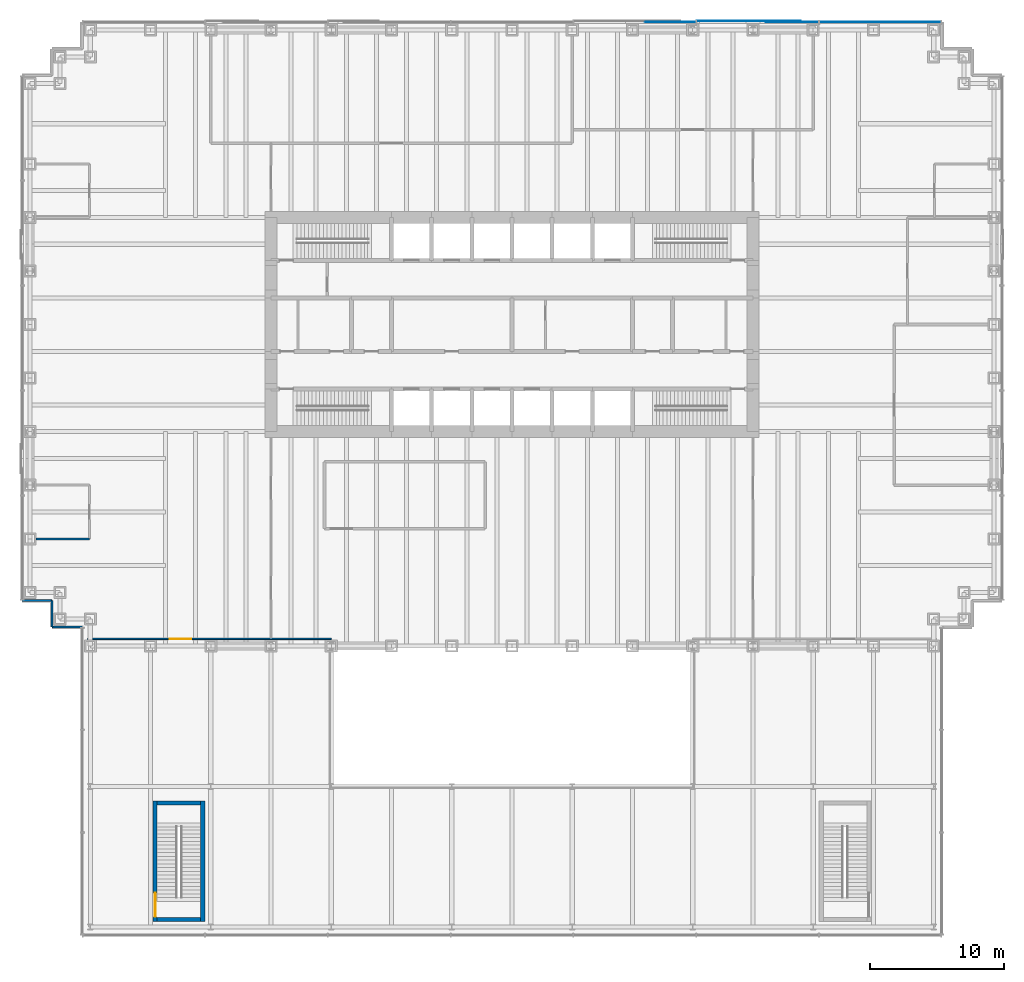
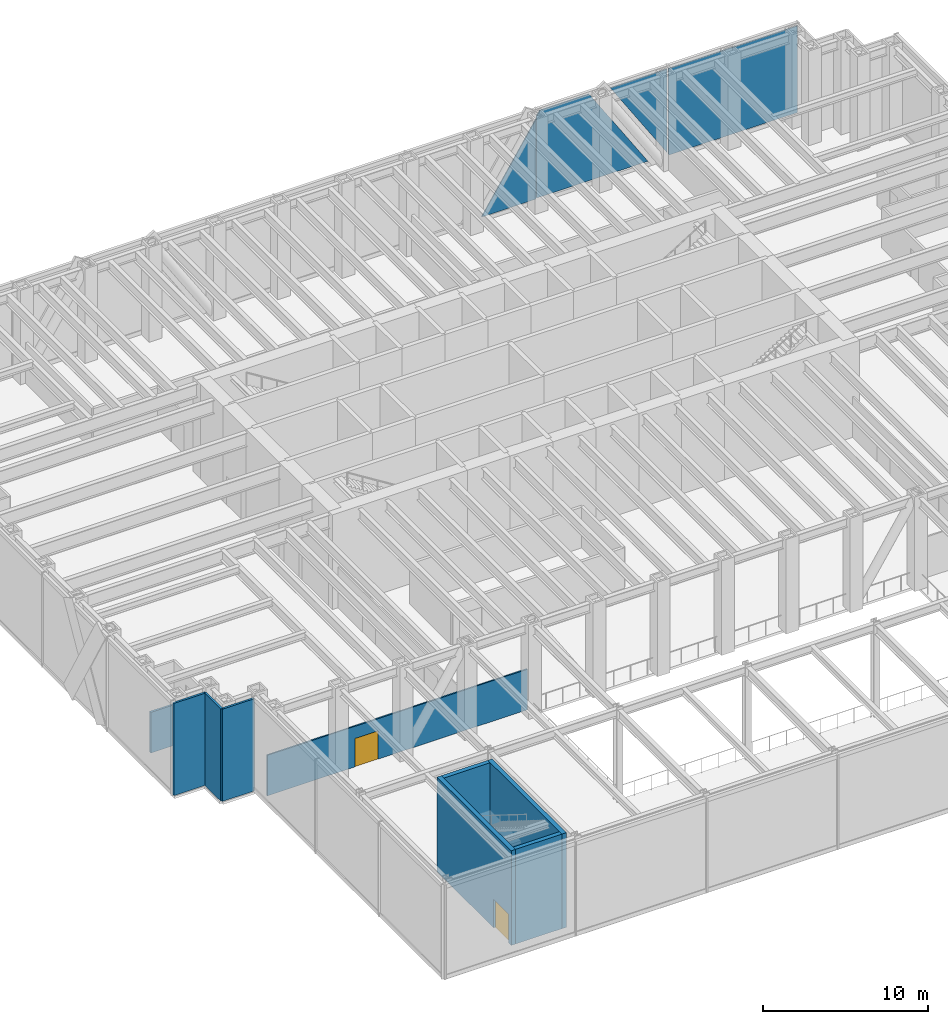
# One storey, part 12 of 17: 9 walls, 4 plates, 2 doors, 2 openings, 1 element without a shape of its own.
"""IFC4 building model written with IfcOpenShell, lengths in metres."""

from ifc_helpers import new_model, si_unit, direction, frame, frame_2d, origin, place, context, subcontext, project, spatial, polyline, rectangle, outline, extrude, material, layer, layer_set, type_object, element, fill, aggregate, save


model = new_model("IFC4")

# Units and contexts
model_context = context("Model", 3, precision=1e-05, world=origin(), true_north=direction((0.0, 1.0)))
body_context = subcontext(model_context, "Body", "Model", "MODEL_VIEW")
ifc_project = project(units=[si_unit("LENGTHUNIT", "METRE"), si_unit("AREAUNIT", "SQUARE_METRE"), si_unit("VOLUMEUNIT", "CUBIC_METRE"), si_unit("PLANEANGLEUNIT", "RADIAN"), si_unit("MASSUNIT", "GRAM", prefix="KILO")], contexts=[model_context])

# Site, building, storey
site_placement = place(None, origin())
site = spatial("IfcSite", under=ifc_project, at=site_placement, CompositionType="ELEMENT")
building_placement = place(site_placement, origin())
building = spatial("IfcBuilding", under=site, at=building_placement, Name="Rheinbord Bourse Tower", CompositionType="ELEMENT")
storey_placement = place(building_placement, frame((0.0, 0.0, 6.0)))
storey = spatial("IfcBuildingStorey", under=building, at=storey_placement, Name="L01", CompositionType="ELEMENT", Elevation=6.0)

# Curtain wall, plates
ifc_material_1 = material(Name="Dark glass and black aluminium", Category="aluminium")
curtain_wall_type = type_object("IfcCurtainWallType", Name="CW4 DARK GLASS CURTAIN WALL", PredefinedType="USERDEFINED", material=ifc_material_1)
curtain_wall_placement = place(storey_placement, origin())
curtain_wall = element("IfcCurtainWall", 1, at=curtain_wall_placement, inside=storey, type_object=curtain_wall_type, Name="Curtain wall CW4 N L01", ObjectType="UNITISED CURTAIN WALL", PredefinedType="USERDEFINED")
ifc_material_2 = material(Name="Dark tinted triple insulating glass", Category="glass")
ifc_layer_1 = layer(ifc_material_2, 0.068115234375)
ifc_layer_set_1 = layer_set([ifc_layer_1], Name="CW4 DARK GLASS PANEL")
plate_type = type_object("IfcPlateType", Name="CW4 DARK GLASS PANEL", PredefinedType="CURTAIN_PANEL", material=ifc_layer_set_1)
plate_1_placement = place(storey_placement, frame((68.010009765625, 46.63427734375, 0.300048828125), z_axis=(0.0, -1.0, 0.0), x_axis=(0.0, 0.0, 1.0)))
plate_1 = element("IfcPlate", 2, at=plate_1_placement, type_object=plate_type, Name="CW4 glass facet 1", PredefinedType="CURTAIN_PANEL", context=body_context, shape_type="SweptSolid", body=[
    extrude(outline(polyline([(0.0, 0.0), (6.39990234375, 0.0), (6.39990234375, 9.035888671875), (0.08203125, 9.035888671875), (0.0, 8.984130859375), (0.0, 0.0)])), origin(), (0.0, 0.0, 1.0), 0.068115234375),
])
plate_2_placement = place(storey_placement, frame((58.884033203125, 46.63427734375, 6.699951171875), z_axis=(0.0, -1.0, 0.0), x_axis=(-1.0, 0.0, 0.0)))
plate_2 = element("IfcPlate", 3, at=plate_2_placement, type_object=plate_type, Name="CW4 glass facet 1", PredefinedType="CURTAIN_PANEL", context=body_context, shape_type="SweptSolid", body=[
    extrude(outline(polyline([(0.0, 0.0), (3.971923828125, 0.0), (0.0, 6.177978515625), (0.0, 0.0)])), origin(), (0.0, 0.0, 1.0), 0.068115234375),
])
plate_3_placement = place(storey_placement, frame((49.802001953125, 46.70703125, 0.300048828125), z_axis=(0.0, -1.0, 0.0), x_axis=(1.0, 0.0, 0.0)))
plate_3 = element("IfcPlate", 4, at=plate_3_placement, type_object=plate_type, Name="CW4 glass facet 2", PredefinedType="CURTAIN_PANEL", context=body_context, shape_type="SweptSolid", body=[
    extrude(outline(polyline([(0.0, 0.0), (7.785888671875, 0.0), (3.672119140625, 6.39990234375), (0.223876953125, 6.39990234375), (0.0, 6.051025390625), (0.0, 0.0)])), origin(), (0.0, 0.0, 1.0), 0.068115234375),
])
plate_4_placement = place(storey_placement, frame((49.7119140625, 46.63427734375, 0.300048828125), z_axis=(0.0, -1.0, 0.0), x_axis=(0.0, 0.0, 1.0)))
plate_4 = element("IfcPlate", 5, at=plate_4_placement, type_object=plate_type, Name="CW4 glass facet 1", PredefinedType="CURTAIN_PANEL", context=body_context, shape_type="SweptSolid", body=[
    extrude(outline(polyline([(0.0, 0.0), (5.910888671875, 0.0), (0.0, 3.7998046875), (0.0, 0.0)])), origin(), (0.0, 0.0, 1.0), 0.068115234375),
])
aggregate(curtain_wall, [plate_1, plate_2, plate_3, plate_4])

# Walls
ifc_material_3 = material(Name="Black metal rainscreen panel", Category="aluminium")
ifc_layer_2 = layer(ifc_material_3, 0.14990234375)
ifc_layer_set_2 = layer_set([ifc_layer_2], Name="CORNER PIER CLADDING 150")
wall_type_1 = type_object("IfcWallType", Name="CORNER PIER CLADDING 150", PredefinedType="ELEMENTEDWALL", material=ifc_layer_set_2)
wall_1_placement = place(storey_placement, frame((-0.60009765625, 3.39990234375, 0.0), z_axis=(0.0, 0.0, 1.0), x_axis=(1.0, 0.0, 0.0)))
element("IfcWall", 6, at=wall_1_placement, inside=storey, type_object=wall_type_1, Name="Corner pier cladding L01 17", PredefinedType="ELEMENTEDWALL", context=body_context, shape_type="SweptSolid", body=[
    extrude(rectangle(XDim=2.25, YDim=0.14990234375, at=frame_2d((1.125, 0.0))), origin(), (0.0, 0.0, 1.0), 6.820068359375),
])
wall_2_placement = place(storey_placement, frame((1.64990234375, 3.39990234375, 0.0), z_axis=(0.0, 0.0, 1.0), x_axis=(0.0, -1.0, 0.0)))
element("IfcWall", 7, at=wall_2_placement, inside=storey, type_object=wall_type_1, Name="Corner pier cladding L01 18", PredefinedType="ELEMENTEDWALL", context=body_context, shape_type="SweptSolid", body=[
    extrude(rectangle(XDim=2.0, YDim=0.14990234375, at=frame_2d((1.0, 0.0))), origin(), (0.0, 0.0, 1.0), 6.820068359375),
])
wall_3_placement = place(storey_placement, frame((1.64990234375, 1.39990234375, 0.0), z_axis=(0.0, 0.0, 1.0), x_axis=(1.0, 0.0, 0.0)))
element("IfcWall", 8, at=wall_3_placement, inside=storey, type_object=wall_type_1, Name="Corner pier cladding L01 19", PredefinedType="ELEMENTEDWALL", context=body_context, shape_type="SweptSolid", body=[
    extrude(rectangle(XDim=2.25, YDim=0.14990234375, at=frame_2d((1.125, 0.0))), origin(), (0.0, 0.0, 1.0), 6.820068359375),
])

# Wall, opening, door
ifc_material_4 = material(Name="Toughened laminated glass partition", Category="glass")
ifc_layer_3 = layer(ifc_material_4, 0.10009765625)
ifc_layer_set_3 = layer_set([ifc_layer_3], Name="GLAZED PARTITION 100")
wall_type_2 = type_object("IfcWallType", Name="GLAZED PARTITION 100", PredefinedType="PARTITIONING", material=ifc_layer_set_3)
wall_4_placement = place(storey_placement, frame((4.300048828125, 0.52490234375, 0.0), z_axis=(0.0, 0.0, 1.0), x_axis=(1.0, 0.0, 0.0)))
wall_4 = element("IfcWall", 9, at=wall_4_placement, inside=storey, type_object=wall_type_2, Name="Podium screen L01-1", PredefinedType="PARTITIONING", context=body_context, shape_type="SweptSolid", body=[
    extrude(rectangle(XDim=18.199951171875, YDim=0.10009765625, at=frame_2d((9.10009765625, 0.0))), origin(), (0.0, 0.0, 1.0), 3.0),
])
opening_1_placement = place(wall_4_placement, frame((6.14990234375, 0.0, 0.0)))
opening_1 = element("IfcOpeningElement", 10, at=opening_1_placement, cuts=wall_4, Name="Opening 01D15", PredefinedType="OPENING", context=body_context, shape_type="SweptSolid", body=[
    extrude(rectangle(XDim=1.60009765625, YDim=2.10009765625, at=frame_2d((0.800048828125, 1.050048828125))), frame((0.0, 0.06005859375, 0.0), z_axis=(0.0, -1.0, 0.0), x_axis=(1.0, 0.0, 0.0)), (0.0, 0.0, 1.0), 0.1201171875),
])
ifc_material_5 = material(Name="Timber door", Category="wood")
door_type_1 = type_object("IfcDoorType", Name="DOUBLE ROOM DOOR 1600", OperationType="DOUBLE_DOOR_DOUBLE_SWING", PredefinedType="DOOR", material=ifc_material_5)
door_1_placement = place(opening_1_placement, origin())
door_1 = element("IfcDoor", 11, at=door_1_placement, inside=storey, type_object=door_type_1, Name="Podium screen door L01", OperationType="SINGLE_SWING_LEFT", OverallHeight=2.10009765625, OverallWidth=1.60009765625, PredefinedType="DOOR", context=body_context, shape_type="SweptSolid", body=[
    extrude(rectangle(XDim=1.60009765625, YDim=2.10009765625, at=frame_2d((0.800048828125, 1.050048828125))), frame((0.0, 0.02490234375, 0.0), z_axis=(0.0, -1.0, 0.0), x_axis=(1.0, 0.0, 0.0)), (0.0, 0.0, 1.0), 0.050048828125),
])
fill(opening_1, door_1)

# Wall
ifc_material_6 = material(Name="Gypsum board partition", Category="gypsum board")
ifc_layer_4 = layer(ifc_material_6, 0.14990234375)
ifc_layer_set_4 = layer_set([ifc_layer_4], Name="PARTITION 150")
wall_type_3 = type_object("IfcWallType", Name="PARTITION 150", PredefinedType="PARTITIONING", material=ifc_layer_set_4)
wall_5_placement = place(storey_placement, frame((0.449951171875, 8.0, 0.0), z_axis=(0.0, 0.0, 1.0), x_axis=(1.0, 0.0, 0.0)))
element("IfcWall", 12, at=wall_5_placement, inside=storey, type_object=wall_type_3, Name="Partition L01-01", PredefinedType="PARTITIONING", context=body_context, shape_type="SweptSolid", body=[
    extrude(rectangle(XDim=4.0, YDim=0.14990234375, at=frame_2d((2.0, 0.0))), origin(), (0.0, 0.0, 1.0), 3.0),
])

# Wall, opening, door
ifc_material_7 = material(Name="Concrete C50/60", Category="concrete")
ifc_layer_5 = layer(ifc_material_7, 0.300048828125)
ifc_layer_set_5 = layer_set([ifc_layer_5], Name="PODIUM STAIR WALL 300")
wall_type_4 = type_object("IfcWallType", Name="PODIUM STAIR WALL 300", PredefinedType="SOLIDWALL", material=ifc_layer_set_5)
wall_6_placement = place(storey_placement, frame((9.35009765625, -20.60009765625, 0.0), z_axis=(0.0, 0.0, 1.0), x_axis=(0.0, 1.0, 0.0)))
wall_6 = element("IfcWall", 13, at=wall_6_placement, inside=storey, type_object=wall_type_4, Name="Stair wall ST5 W L01", PredefinedType="SOLIDWALL", context=body_context, shape_type="SweptSolid", body=[
    extrude(rectangle(XDim=9.0, YDim=0.300048828125, at=frame_2d((4.5, 0.0))), origin(), (0.0, 0.0, 1.0), 7.0),
])
opening_2_placement = place(wall_6_placement, frame((0.35009765625, 0.0, 0.0)))
opening_2 = element("IfcOpeningElement", 14, at=opening_2_placement, cuts=wall_6, Name="Opening 0151", PredefinedType="OPENING", context=body_context, shape_type="SweptSolid", body=[
    extrude(rectangle(XDim=1.800048828125, YDim=2.10009765625, at=frame_2d((0.89990234375, 1.050048828125))), frame((0.0, 0.159912109375, 0.0), z_axis=(0.0, -1.0, 0.0), x_axis=(1.0, 0.0, 0.0)), (0.0, 0.0, 1.0), 0.320068359375),
])
ifc_material_8 = material(Name="Steel door", Category="steel")
door_type_2 = type_object("IfcDoorType", Name="DOOR 1800 EI30 DOUBLE", OperationType="DOUBLE_DOOR_DOUBLE_SWING", PredefinedType="DOOR", material=ifc_material_8)
door_2_placement = place(opening_2_placement, origin())
door_2 = element("IfcDoor", 15, at=door_2_placement, inside=storey, type_object=door_type_2, Name="Stair door ST5 L01", OperationType="SINGLE_SWING_LEFT", OverallHeight=2.10009765625, OverallWidth=1.800048828125, PredefinedType="DOOR", context=body_context, shape_type="SweptSolid", body=[
    extrude(rectangle(XDim=1.800048828125, YDim=2.10009765625, at=frame_2d((0.89990234375, 1.050048828125))), frame((0.0, 0.02490234375, 0.0), z_axis=(0.0, -1.0, 0.0), x_axis=(1.0, 0.0, 0.0)), (0.0, 0.0, 1.0), 0.050048828125),
])
fill(opening_2, door_2)

# Walls
wall_7_placement = place(storey_placement, frame((12.89990234375, -20.60009765625, 0.0), z_axis=(0.0, 0.0, 1.0), x_axis=(0.0, 1.0, 0.0)))
element("IfcWall", 16, at=wall_7_placement, inside=storey, type_object=wall_type_4, Name="Stair wall ST5 E L01", PredefinedType="SOLIDWALL", context=body_context, shape_type="SweptSolid", body=[
    extrude(rectangle(XDim=9.0, YDim=0.300048828125, at=frame_2d((4.5, 0.0))), origin(), (0.0, 0.0, 1.0), 7.0),
])
for number, where, z_axis, x_axis, name in (
    (17, (9.5, -20.449951171875, 0.0), (0.0, 0.0, 1.0), (1.0, 0.0, 0.0), "Stair wall ST5 S L01"),
    (18, (9.5, -11.75, 0.0), (0.0, 0.0, 1.0), (1.0, 0.0, 0.0), "Stair wall ST5 N L01"),
):
    element("IfcWall", number, at=place(storey_placement, frame(where, z_axis=z_axis, x_axis=x_axis)), inside=storey, type_object=wall_type_4, Name=name, PredefinedType="SOLIDWALL", context=body_context, shape_type="SweptSolid", body=[
        extrude(rectangle(XDim=3.25, YDim=0.300048828125, at=frame_2d((1.625, 0.0))), origin(), (0.0, 0.0, 1.0), 7.0),
    ])

save(model, "model.ifc")
